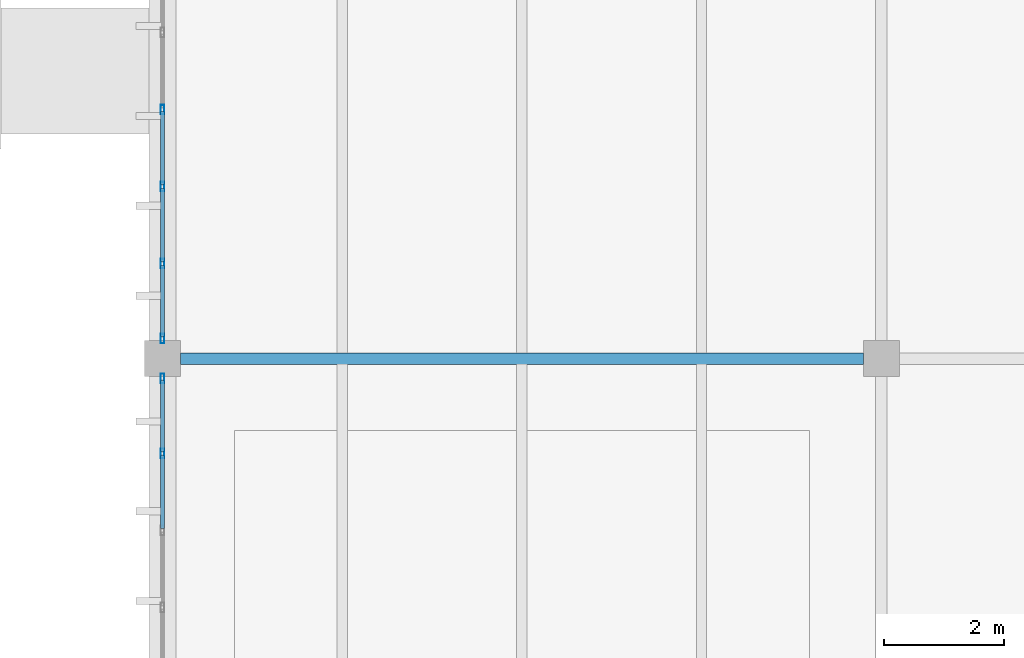
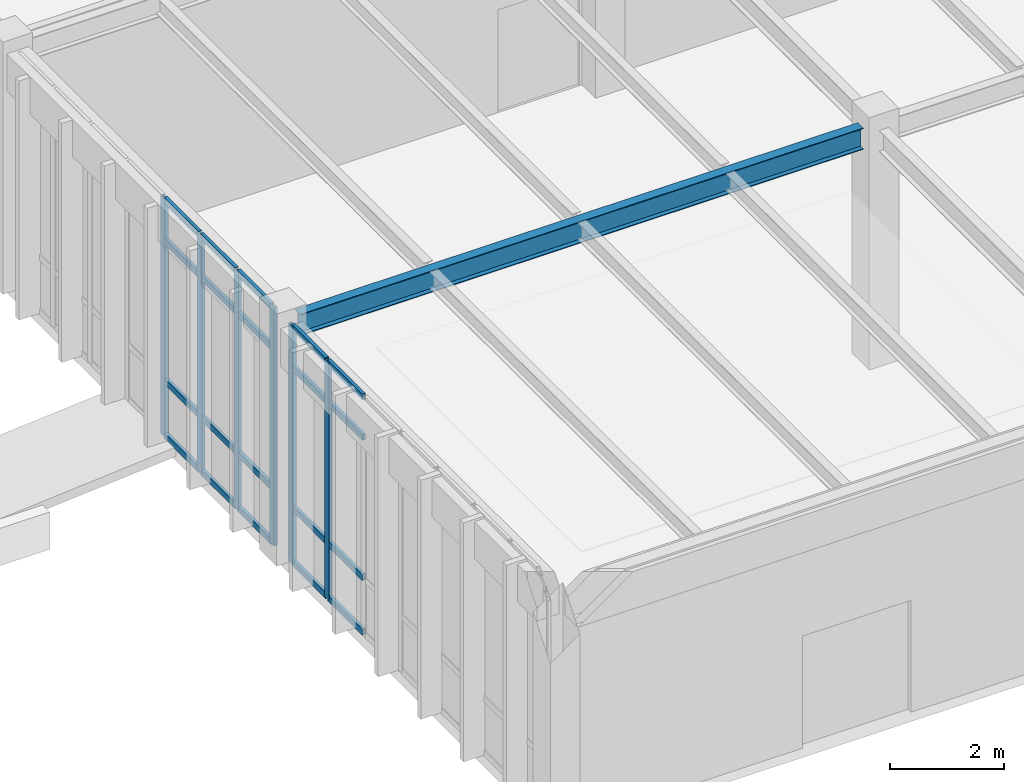
# One storey, part 87 of 188: 26 members, 1 beam, 2 elements without a shape of their own.
"""IFC4 building model written with IfcOpenShell, lengths in metres."""

from ifc_helpers import new_model, si_unit, direction, frame, origin, origin_2d, place, context, subcontext, project, spatial, hollow_rectangle, i_section, extrude, material, layer, layer_set, material_profile, profile_set, type_object, element, aggregate, save


model = new_model("IFC4")

# Units and contexts
model_context = context("Model", 3, precision=1e-05, world=origin(), true_north=direction((0.0, 1.0)))
body_context = subcontext(model_context, "Body", "Model", "MODEL_VIEW")
ifc_project = project(units=[si_unit("LENGTHUNIT", "METRE"), si_unit("AREAUNIT", "SQUARE_METRE"), si_unit("VOLUMEUNIT", "CUBIC_METRE"), si_unit("PLANEANGLEUNIT", "RADIAN"), si_unit("MASSUNIT", "GRAM", prefix="KILO")], contexts=[model_context])

# Site, building, storey
site_placement = place(None, origin())
site = spatial("IfcSite", under=ifc_project, at=site_placement, CompositionType="ELEMENT")
building_placement = place(site_placement, origin())
building = spatial("IfcBuilding", under=site, at=building_placement, Name="Pandanus Reach Market Hall", CompositionType="ELEMENT")
storey_placement = place(building_placement, origin())
storey = spatial("IfcBuildingStorey", under=building, at=storey_placement, Name="L00", CompositionType="ELEMENT", Elevation=0.0)

# Beam
ifc_material_1 = material(Name="Steel Grade 350 (350 MPa)", Category="steel")
ifc_material_profile_1 = material_profile(ifc_material_1, i_section(OverallWidth=0.19091796875, OverallDepth=0.4599609375, WebThickness=0.010009765625, FlangeThickness=0.01611328125, at=origin_2d()), Name="460UB82.1", Category="LoadBearing")
ifc_profile_set_1 = profile_set([ifc_material_profile_1], Name="Steel Grade 350 (350 MPa)")
beam_type = type_object("IfcBeamType", Name="BM-UB460H-I", PredefinedType="BEAM", material=ifc_profile_set_1)
beam_placement = place(storey_placement, frame((144.298095703125, 9.60009765625, 4.82958984375), z_axis=(1.0, 0.0, 0.0), x_axis=(0.0, 1.0, 0.0)))
element("IfcBeam", 1, at=beam_placement, inside=storey, type_object=beam_type, Name="Framing beam BM-UB460H-I L00.158", PredefinedType="BEAM", context=body_context, shape_type="SweptSolid", body=[
    extrude(i_section(OverallWidth=0.19091796875, OverallDepth=0.4599609375, WebThickness=0.010009765625, FlangeThickness=0.01611328125, at=origin_2d()), origin(), (0.0, 0.0, 1.0), 11.40380859375),
])

# Curtain wall, members
ifc_material_2 = material(Name="Bronze anodised aluminium and low-E glass", Category="aluminium")
ifc_layer = layer(ifc_material_2, 0.159912109375, Name="CW-26")
ifc_layer_set = layer_set([ifc_layer], Name="Bronze anodised aluminium and low-E glass")
curtain_wall_type = type_object("IfcCurtainWallType", Name="CW-26", PredefinedType="NOTDEFINED", material=ifc_layer_set)
curtain_wall_1_placement = place(storey_placement, origin())
curtain_wall_1 = element("IfcCurtainWall", 2, at=curtain_wall_1_placement, inside=storey, type_object=curtain_wall_type, Name="Glazed curtain wall CW-26 CW-0075", PredefinedType="NOTDEFINED")
ifc_material_3 = material(Name="Bronze anodised aluminium", Category="aluminium")
ifc_material_profile_2 = material_profile(ifc_material_3, hollow_rectangle(XDim=0.06494140625, YDim=0.159912109375, WallThickness=0.00390625, at=origin_2d()), Name="ALU65x160", Category="LoadBearing")
ifc_profile_set_2 = profile_set([ifc_material_profile_2], Name="Bronze anodised aluminium")
member_type_1 = type_object("IfcMemberType", Name="CW-M1", PredefinedType="MULLION", material=ifc_profile_set_2)
member_1_placement = place(storey_placement, frame((144.0, 8.014404296875, 0.0), z_axis=(0.0, 0.0, 1.0), x_axis=(-1.0, 0.0, 0.0)))
member_1 = element("IfcMember", 3, at=member_1_placement, type_object=member_type_1, Name="CW-26 mullion 7", PredefinedType="MULLION", context=body_context, shape_type="SweptSolid", body=[
    extrude(hollow_rectangle(XDim=0.06494140625, YDim=0.159912109375, WallThickness=0.00390625, at=origin_2d()), origin(), (0.0, 0.0, 1.0), 5.10009765625),
])
member_2_placement = place(storey_placement, frame((144.0, 9.267578125, 0.0), z_axis=(0.0, 0.0, 1.0), x_axis=(-1.0, 0.0, 0.0)))
member_2 = element("IfcMember", 4, at=member_2_placement, type_object=member_type_1, Name="CW-26 mullion 8", PredefinedType="MULLION", context=body_context, shape_type="SweptSolid", body=[
    extrude(hollow_rectangle(XDim=0.06494140625, YDim=0.159912109375, WallThickness=0.00390625, at=origin_2d()), origin(), (0.0, 0.0, 1.0), 5.10009765625),
])

curtain_wall_2_placement = place(storey_placement, origin())
curtain_wall_2 = element("IfcCurtainWall", 5, at=curtain_wall_2_placement, inside=storey, type_object=curtain_wall_type, Name="Glazed curtain wall CW-26 CW-0076", PredefinedType="NOTDEFINED")
member_3_placement = place(storey_placement, frame((144.0, 9.9326171875, 0.0), z_axis=(0.0, 0.0, 1.0), x_axis=(-1.0, 0.0, 0.0)))
member_3 = element("IfcMember", 6, at=member_3_placement, type_object=member_type_1, Name="CW-26 mullion 1", PredefinedType="MULLION", context=body_context, shape_type="SweptSolid", body=[
    extrude(hollow_rectangle(XDim=0.06494140625, YDim=0.159912109375, WallThickness=0.00390625, at=origin_2d()), origin(), (0.0, 0.0, 1.0), 5.10009765625),
])
member_4_placement = place(storey_placement, frame((144.0, 11.185791015625, 0.0), z_axis=(0.0, 0.0, 1.0), x_axis=(-1.0, 0.0, 0.0)))
member_4 = element("IfcMember", 7, at=member_4_placement, type_object=member_type_1, Name="CW-26 mullion 2", PredefinedType="MULLION", context=body_context, shape_type="SweptSolid", body=[
    extrude(hollow_rectangle(XDim=0.06494140625, YDim=0.159912109375, WallThickness=0.00390625, at=origin_2d()), origin(), (0.0, 0.0, 1.0), 5.10009765625),
])
member_5_placement = place(storey_placement, frame((144.0, 12.471435546875, 0.0), z_axis=(0.0, 0.0, 1.0), x_axis=(-1.0, 0.0, 0.0)))
member_5 = element("IfcMember", 8, at=member_5_placement, type_object=member_type_1, Name="CW-26 mullion 3", PredefinedType="MULLION", context=body_context, shape_type="SweptSolid", body=[
    extrude(hollow_rectangle(XDim=0.06494140625, YDim=0.159912109375, WallThickness=0.00390625, at=origin_2d()), origin(), (0.0, 0.0, 1.0), 5.10009765625),
])
member_6_placement = place(storey_placement, frame((144.0, 13.757080078125, 0.0), z_axis=(0.0, 0.0, 1.0), x_axis=(-1.0, 0.0, 0.0)))
member_6 = element("IfcMember", 9, at=member_6_placement, type_object=member_type_1, Name="CW-26 mullion 4", PredefinedType="MULLION", context=body_context, shape_type="SweptSolid", body=[
    extrude(hollow_rectangle(XDim=0.06494140625, YDim=0.159912109375, WallThickness=0.00390625, at=origin_2d()), origin(), (0.0, 0.0, 1.0), 5.10009765625),
])

# Member
ifc_material_profile_3 = material_profile(ifc_material_3, hollow_rectangle(XDim=0.06494140625, YDim=0.1298828125, WallThickness=0.00390625, at=origin_2d()), Name="ALU65x130", Category="LoadBearing")
ifc_profile_set_3 = profile_set([ifc_material_profile_3], Name="Bronze anodised aluminium")
member_type_2 = type_object("IfcMemberType", Name="CW-T1", PredefinedType="USERDEFINED", material=ifc_profile_set_3)
member_7_placement = place(storey_placement, frame((144.0, 6.760986328125, 0.032470703125), z_axis=(0.0, 1.0, 0.0), x_axis=(-1.0, 0.0, 0.0)))
member_7 = element("IfcMember", 10, at=member_7_placement, type_object=member_type_2, Name="CW-26 transom 6.1", ObjectType="TRANSOM", PredefinedType="USERDEFINED", context=body_context, shape_type="SweptSolid", body=[
    extrude(hollow_rectangle(XDim=0.06494140625, YDim=0.1298828125, WallThickness=0.00390625, at=origin_2d()), origin(), (0.0, 0.0, 1.0), 1.220703125),
])

member_8_placement = place(storey_placement, frame((144.0, 6.760986328125, 1.199951171875), z_axis=(0.0, 1.0, 0.0), x_axis=(-1.0, 0.0, 0.0)))
member_8 = element("IfcMember", 11, at=member_8_placement, type_object=member_type_2, Name="CW-26 transom 6.2", ObjectType="TRANSOM", PredefinedType="USERDEFINED", context=body_context, shape_type="SweptSolid", body=[
    extrude(hollow_rectangle(XDim=0.06494140625, YDim=0.1298828125, WallThickness=0.00390625, at=origin_2d()), origin(), (0.0, 0.0, 1.0), 1.220703125),
])

member_9_placement = place(storey_placement, frame((144.0, 6.760986328125, 4.199951171875), z_axis=(0.0, 1.0, 0.0), x_axis=(-1.0, 0.0, 0.0)))
member_9 = element("IfcMember", 12, at=member_9_placement, type_object=member_type_2, Name="CW-26 transom 6.3", ObjectType="TRANSOM", PredefinedType="USERDEFINED", context=body_context, shape_type="SweptSolid", body=[
    extrude(hollow_rectangle(XDim=0.06494140625, YDim=0.1298828125, WallThickness=0.00390625, at=origin_2d()), origin(), (0.0, 0.0, 1.0), 1.220703125),
])

member_10_placement = place(storey_placement, frame((144.0, 6.760986328125, 5.0673828125), z_axis=(0.0, 1.0, 0.0), x_axis=(-1.0, 0.0, 0.0)))
member_10 = element("IfcMember", 13, at=member_10_placement, type_object=member_type_2, Name="CW-26 transom 6.4", ObjectType="TRANSOM", PredefinedType="USERDEFINED", context=body_context, shape_type="SweptSolid", body=[
    extrude(hollow_rectangle(XDim=0.06494140625, YDim=0.1298828125, WallThickness=0.00390625, at=origin_2d()), origin(), (0.0, 0.0, 1.0), 1.220703125),
])

member_11_placement = place(storey_placement, frame((144.0, 8.046875, 0.032470703125), z_axis=(0.0, 1.0, 0.0), x_axis=(-1.0, 0.0, 0.0)))
member_11 = element("IfcMember", 14, at=member_11_placement, type_object=member_type_2, Name="CW-26 transom 7.1", ObjectType="TRANSOM", PredefinedType="USERDEFINED", context=body_context, shape_type="SweptSolid", body=[
    extrude(hollow_rectangle(XDim=0.06494140625, YDim=0.1298828125, WallThickness=0.00390625, at=origin_2d()), origin(), (0.0, 0.0, 1.0), 1.188232421875),
])

member_12_placement = place(storey_placement, frame((144.0, 8.046875, 1.199951171875), z_axis=(0.0, 1.0, 0.0), x_axis=(-1.0, 0.0, 0.0)))
member_12 = element("IfcMember", 15, at=member_12_placement, type_object=member_type_2, Name="CW-26 transom 7.2", ObjectType="TRANSOM", PredefinedType="USERDEFINED", context=body_context, shape_type="SweptSolid", body=[
    extrude(hollow_rectangle(XDim=0.06494140625, YDim=0.1298828125, WallThickness=0.00390625, at=origin_2d()), origin(), (0.0, 0.0, 1.0), 1.188232421875),
])

member_13_placement = place(storey_placement, frame((144.0, 8.046875, 4.199951171875), z_axis=(0.0, 1.0, 0.0), x_axis=(-1.0, 0.0, 0.0)))
member_13 = element("IfcMember", 16, at=member_13_placement, type_object=member_type_2, Name="CW-26 transom 7.3", ObjectType="TRANSOM", PredefinedType="USERDEFINED", context=body_context, shape_type="SweptSolid", body=[
    extrude(hollow_rectangle(XDim=0.06494140625, YDim=0.1298828125, WallThickness=0.00390625, at=origin_2d()), origin(), (0.0, 0.0, 1.0), 1.188232421875),
])

member_14_placement = place(storey_placement, frame((144.0, 8.046875, 5.0673828125), z_axis=(0.0, 1.0, 0.0), x_axis=(-1.0, 0.0, 0.0)))
member_14 = element("IfcMember", 17, at=member_14_placement, type_object=member_type_2, Name="CW-26 transom 7.4", ObjectType="TRANSOM", PredefinedType="USERDEFINED", context=body_context, shape_type="SweptSolid", body=[
    extrude(hollow_rectangle(XDim=0.06494140625, YDim=0.1298828125, WallThickness=0.00390625, at=origin_2d()), origin(), (0.0, 0.0, 1.0), 1.188232421875),
])

aggregate(curtain_wall_1, [member_1, member_2, member_7, member_8, member_9, member_10, member_11, member_12, member_13, member_14])

member_15_placement = place(storey_placement, frame((144.0, 9.965087890625, 0.032470703125), z_axis=(0.0, 1.0, 0.0), x_axis=(-1.0, 0.0, 0.0)))
member_15 = element("IfcMember", 18, at=member_15_placement, type_object=member_type_2, Name="CW-26 transom 1.1", ObjectType="TRANSOM", PredefinedType="USERDEFINED", context=body_context, shape_type="SweptSolid", body=[
    extrude(hollow_rectangle(XDim=0.06494140625, YDim=0.1298828125, WallThickness=0.00390625, at=origin_2d()), origin(), (0.0, 0.0, 1.0), 1.188232421875),
])

member_16_placement = place(storey_placement, frame((144.0, 9.965087890625, 1.199951171875), z_axis=(0.0, 1.0, 0.0), x_axis=(-1.0, 0.0, 0.0)))
member_16 = element("IfcMember", 19, at=member_16_placement, type_object=member_type_2, Name="CW-26 transom 1.2", ObjectType="TRANSOM", PredefinedType="USERDEFINED", context=body_context, shape_type="SweptSolid", body=[
    extrude(hollow_rectangle(XDim=0.06494140625, YDim=0.1298828125, WallThickness=0.00390625, at=origin_2d()), origin(), (0.0, 0.0, 1.0), 1.188232421875),
])

member_17_placement = place(storey_placement, frame((144.0, 9.965087890625, 4.199951171875), z_axis=(0.0, 1.0, 0.0), x_axis=(-1.0, 0.0, 0.0)))
member_17 = element("IfcMember", 20, at=member_17_placement, type_object=member_type_2, Name="CW-26 transom 1.3", ObjectType="TRANSOM", PredefinedType="USERDEFINED", context=body_context, shape_type="SweptSolid", body=[
    extrude(hollow_rectangle(XDim=0.06494140625, YDim=0.1298828125, WallThickness=0.00390625, at=origin_2d()), origin(), (0.0, 0.0, 1.0), 1.188232421875),
])

member_18_placement = place(storey_placement, frame((144.0, 9.965087890625, 5.0673828125), z_axis=(0.0, 1.0, 0.0), x_axis=(-1.0, 0.0, 0.0)))
member_18 = element("IfcMember", 21, at=member_18_placement, type_object=member_type_2, Name="CW-26 transom 1.4", ObjectType="TRANSOM", PredefinedType="USERDEFINED", context=body_context, shape_type="SweptSolid", body=[
    extrude(hollow_rectangle(XDim=0.06494140625, YDim=0.1298828125, WallThickness=0.00390625, at=origin_2d()), origin(), (0.0, 0.0, 1.0), 1.188232421875),
])

member_19_placement = place(storey_placement, frame((144.0, 11.21826171875, 0.032470703125), z_axis=(0.0, 1.0, 0.0), x_axis=(-1.0, 0.0, 0.0)))
member_19 = element("IfcMember", 22, at=member_19_placement, type_object=member_type_2, Name="CW-26 transom 2.1", ObjectType="TRANSOM", PredefinedType="USERDEFINED", context=body_context, shape_type="SweptSolid", body=[
    extrude(hollow_rectangle(XDim=0.06494140625, YDim=0.1298828125, WallThickness=0.00390625, at=origin_2d()), origin(), (0.0, 0.0, 1.0), 1.220703125),
])

member_20_placement = place(storey_placement, frame((144.0, 11.21826171875, 1.199951171875), z_axis=(0.0, 1.0, 0.0), x_axis=(-1.0, 0.0, 0.0)))
member_20 = element("IfcMember", 23, at=member_20_placement, type_object=member_type_2, Name="CW-26 transom 2.2", ObjectType="TRANSOM", PredefinedType="USERDEFINED", context=body_context, shape_type="SweptSolid", body=[
    extrude(hollow_rectangle(XDim=0.06494140625, YDim=0.1298828125, WallThickness=0.00390625, at=origin_2d()), origin(), (0.0, 0.0, 1.0), 1.220703125),
])

member_21_placement = place(storey_placement, frame((144.0, 11.21826171875, 4.199951171875), z_axis=(0.0, 1.0, 0.0), x_axis=(-1.0, 0.0, 0.0)))
member_21 = element("IfcMember", 24, at=member_21_placement, type_object=member_type_2, Name="CW-26 transom 2.3", ObjectType="TRANSOM", PredefinedType="USERDEFINED", context=body_context, shape_type="SweptSolid", body=[
    extrude(hollow_rectangle(XDim=0.06494140625, YDim=0.1298828125, WallThickness=0.00390625, at=origin_2d()), origin(), (0.0, 0.0, 1.0), 1.220703125),
])

member_22_placement = place(storey_placement, frame((144.0, 11.21826171875, 5.0673828125), z_axis=(0.0, 1.0, 0.0), x_axis=(-1.0, 0.0, 0.0)))
member_22 = element("IfcMember", 25, at=member_22_placement, type_object=member_type_2, Name="CW-26 transom 2.4", ObjectType="TRANSOM", PredefinedType="USERDEFINED", context=body_context, shape_type="SweptSolid", body=[
    extrude(hollow_rectangle(XDim=0.06494140625, YDim=0.1298828125, WallThickness=0.00390625, at=origin_2d()), origin(), (0.0, 0.0, 1.0), 1.220703125),
])

member_23_placement = place(storey_placement, frame((144.0, 12.50390625, 0.032470703125), z_axis=(0.0, 1.0, 0.0), x_axis=(-1.0, 0.0, 0.0)))
member_23 = element("IfcMember", 26, at=member_23_placement, type_object=member_type_2, Name="CW-26 transom 3.1", ObjectType="TRANSOM", PredefinedType="USERDEFINED", context=body_context, shape_type="SweptSolid", body=[
    extrude(hollow_rectangle(XDim=0.06494140625, YDim=0.1298828125, WallThickness=0.00390625, at=origin_2d()), origin(), (0.0, 0.0, 1.0), 1.220703125),
])

member_24_placement = place(storey_placement, frame((144.0, 12.50390625, 1.199951171875), z_axis=(0.0, 1.0, 0.0), x_axis=(-1.0, 0.0, 0.0)))
member_24 = element("IfcMember", 27, at=member_24_placement, type_object=member_type_2, Name="CW-26 transom 3.2", ObjectType="TRANSOM", PredefinedType="USERDEFINED", context=body_context, shape_type="SweptSolid", body=[
    extrude(hollow_rectangle(XDim=0.06494140625, YDim=0.1298828125, WallThickness=0.00390625, at=origin_2d()), origin(), (0.0, 0.0, 1.0), 1.220703125),
])

member_25_placement = place(storey_placement, frame((144.0, 12.50390625, 4.199951171875), z_axis=(0.0, 1.0, 0.0), x_axis=(-1.0, 0.0, 0.0)))
member_25 = element("IfcMember", 28, at=member_25_placement, type_object=member_type_2, Name="CW-26 transom 3.3", ObjectType="TRANSOM", PredefinedType="USERDEFINED", context=body_context, shape_type="SweptSolid", body=[
    extrude(hollow_rectangle(XDim=0.06494140625, YDim=0.1298828125, WallThickness=0.00390625, at=origin_2d()), origin(), (0.0, 0.0, 1.0), 1.220703125),
])

member_26_placement = place(storey_placement, frame((144.0, 12.50390625, 5.0673828125), z_axis=(0.0, 1.0, 0.0), x_axis=(-1.0, 0.0, 0.0)))
member_26 = element("IfcMember", 29, at=member_26_placement, type_object=member_type_2, Name="CW-26 transom 3.4", ObjectType="TRANSOM", PredefinedType="USERDEFINED", context=body_context, shape_type="SweptSolid", body=[
    extrude(hollow_rectangle(XDim=0.06494140625, YDim=0.1298828125, WallThickness=0.00390625, at=origin_2d()), origin(), (0.0, 0.0, 1.0), 1.220703125),
])

aggregate(curtain_wall_2, [member_3, member_4, member_5, member_6, member_15, member_16, member_17, member_18, member_19, member_20, member_21, member_22, member_23, member_24, member_25, member_26])

save(model, "model.ifc")
